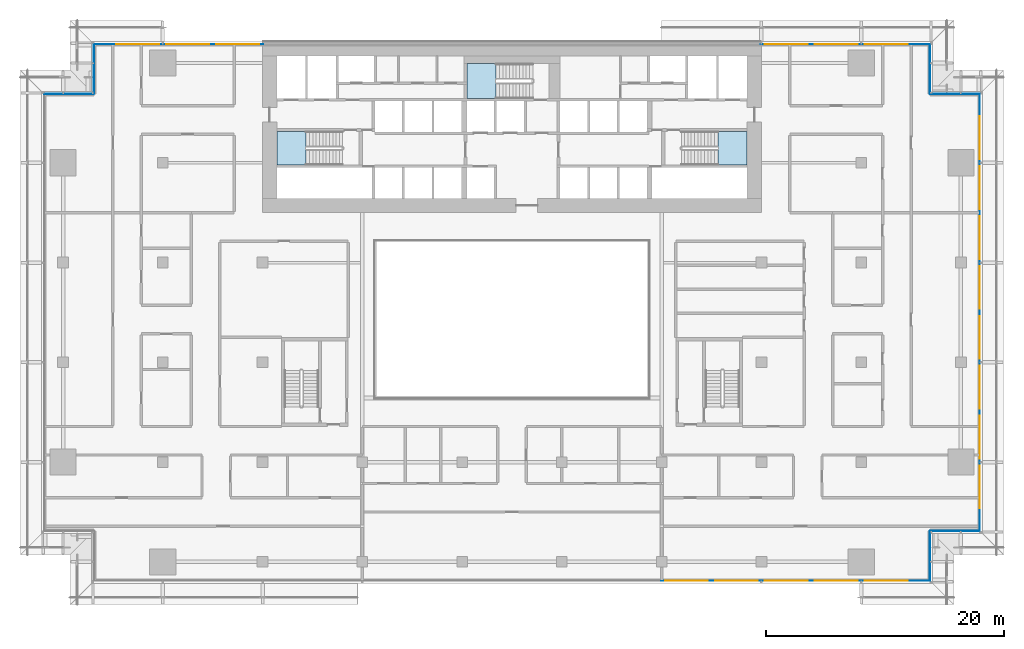
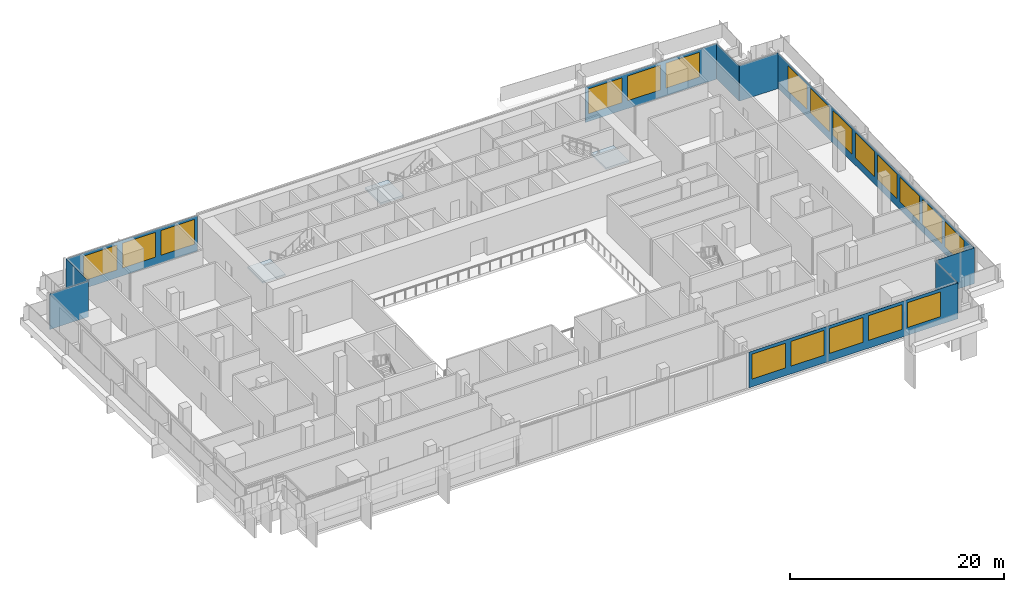
# One storey, part 12 of 23: 19 windows, 10 plates, 3 slabs, 19 openings, 12 elements without a shape of their own.
"""IFC4 building model written with IfcOpenShell, lengths in metres."""

from ifc_helpers import new_model, si_unit, direction, frame, frame_2d, origin, place, context, subcontext, project, spatial, polyline, rectangle, outline, extrude, material, layer, layer_set, type_object, element, fill, aggregate, save


model = new_model("IFC4")

# Units and contexts
model_context = context("Model", 3, precision=1e-05, world=origin(), true_north=direction((0.0, 1.0)))
body_context = subcontext(model_context, "Body", "Model", "MODEL_VIEW")
ifc_project = project(units=[si_unit("LENGTHUNIT", "METRE"), si_unit("AREAUNIT", "SQUARE_METRE"), si_unit("VOLUMEUNIT", "CUBIC_METRE"), si_unit("PLANEANGLEUNIT", "RADIAN"), si_unit("MASSUNIT", "GRAM", prefix="KILO")], contexts=[model_context])

# Site, building, storey
site_placement = place(None, origin())
site = spatial("IfcSite", under=ifc_project, at=site_placement, CompositionType="ELEMENT")
building_placement = place(site_placement, origin())
building = spatial("IfcBuilding", under=site, at=building_placement, Name="Saffron Gate Tower", CompositionType="ELEMENT")
storey_placement = place(building_placement, frame((0.0, 0.0, 23.699951171875)))
storey = spatial("IfcBuildingStorey", under=building, at=storey_placement, Name="L04", CompositionType="ELEMENT", Elevation=23.699951171875)

# Curtain wall, plate, openings, windows
ifc_material_1 = material(Name="Aluminium, bronze anodised", Category="aluminium")
curtain_wall_type = type_object("IfcCurtainWallType", Name="CWS6 curtain wall tall storeys", PredefinedType="NOTDEFINED", material=ifc_material_1)
curtain_wall_1_placement = place(storey_placement, origin())
curtain_wall_1 = element("IfcCurtainWall", 1, at=curtain_wall_1_placement, inside=storey, type_object=curtain_wall_type, Name="CWS6 run 1", PredefinedType="NOTDEFINED")
ifc_material_2 = material(Name="Fritted bronze-tinted laminated glass", Category="glass")
ifc_layer_1 = layer(ifc_material_2, 0.028076171875)
ifc_layer_set_1 = layer_set([ifc_layer_1], Name="CWS6 fixed glass")
plate_type = type_object("IfcPlateType", Name="CWS6 fixed glass", PredefinedType="CURTAIN_PANEL", material=ifc_layer_set_1)
plate_1_placement = place(storey_placement, frame((100.159912109375, 30.214111328125, 0.0), z_axis=(0.0, 0.0, 1.0), x_axis=(1.0, 0.0, 0.0)))
plate_1 = element("IfcPlate", 2, at=plate_1_placement, type_object=plate_type, Name="CWS6 glass panel", PredefinedType="CURTAIN_PANEL", context=body_context, shape_type="SweptSolid", body=[
    extrude(rectangle(XDim=22.612060546875, YDim=0.028076171875, at=frame_2d((11.30615234375, 0.0))), origin(), (0.0, 0.0, 1.0), 4.080078125),
])
opening_1_placement = place(plate_1_placement, frame((0.340087890625, 0.0, 0.89990234375)))
opening_1 = element("IfcOpeningElement", 3, at=opening_1_placement, cuts=plate_1, Name="Opening W3", PredefinedType="OPENING", context=body_context, shape_type="SweptSolid", body=[
    extrude(rectangle(XDim=3.60009765625, YDim=2.830078125, at=frame_2d((1.800048828125, 1.4150390625))), frame((0.0, 0.02392578125, 0.0), z_axis=(0.0, -1.0, 0.0), x_axis=(1.0, 0.0, 0.0)), (0.0, 0.0, 1.0), 0.048095703125),
])
opening_2_placement = place(plate_1_placement, frame((4.5400390625, 0.0, 0.89990234375)))
opening_2 = element("IfcOpeningElement", 4, at=opening_2_placement, cuts=plate_1, Name="Opening W3", PredefinedType="OPENING", context=body_context, shape_type="SweptSolid", body=[
    extrude(rectangle(XDim=3.60009765625, YDim=2.830078125, at=frame_2d((1.800048828125, 1.4150390625))), frame((0.0, 0.02392578125, 0.0), z_axis=(0.0, -1.0, 0.0), x_axis=(1.0, 0.0, 0.0)), (0.0, 0.0, 1.0), 0.048095703125),
])
opening_3_placement = place(plate_1_placement, frame((8.739990234375, 0.0, 0.89990234375)))
opening_3 = element("IfcOpeningElement", 5, at=opening_3_placement, cuts=plate_1, Name="Opening W3", PredefinedType="OPENING", context=body_context, shape_type="SweptSolid", body=[
    extrude(rectangle(XDim=3.60009765625, YDim=2.830078125, at=frame_2d((1.800048828125, 1.4150390625))), frame((0.0, 0.02392578125, 0.0), z_axis=(0.0, -1.0, 0.0), x_axis=(1.0, 0.0, 0.0)), (0.0, 0.0, 1.0), 0.048095703125),
])
opening_4_placement = place(plate_1_placement, frame((12.93994140625, 0.0, 0.89990234375)))
opening_4 = element("IfcOpeningElement", 6, at=opening_4_placement, cuts=plate_1, Name="Opening W3", PredefinedType="OPENING", context=body_context, shape_type="SweptSolid", body=[
    extrude(rectangle(XDim=3.60009765625, YDim=2.830078125, at=frame_2d((1.800048828125, 1.4150390625))), frame((0.0, 0.02392578125, 0.0), z_axis=(0.0, -1.0, 0.0), x_axis=(1.0, 0.0, 0.0)), (0.0, 0.0, 1.0), 0.048095703125),
])
opening_5_placement = place(plate_1_placement, frame((17.139892578125, 0.0, 0.89990234375)))
opening_5 = element("IfcOpeningElement", 7, at=opening_5_placement, cuts=plate_1, Name="Opening W3", PredefinedType="OPENING", context=body_context, shape_type="SweptSolid", body=[
    extrude(rectangle(XDim=3.60009765625, YDim=2.830078125, at=frame_2d((1.800048828125, 1.4150390625))), frame((0.0, 0.02392578125, 0.0), z_axis=(0.0, -1.0, 0.0), x_axis=(1.0, 0.0, 0.0)), (0.0, 0.0, 1.0), 0.048095703125),
])
ifc_material_3 = material(Name="Fritted bronze-tinted laminated glass in bronze frame", Category="glass")
ifc_layer_2 = layer(ifc_material_3, 0.06005859375)
ifc_layer_set_2 = layer_set([ifc_layer_2], Name="W3 operable panel 3600x2830")
window_type = type_object("IfcWindowType", Name="W3 operable panel 3600x2830", PartitioningType="DOUBLE_PANEL_HORIZONTAL", PredefinedType="WINDOW", material=ifc_layer_set_2)
window_1_placement = place(opening_1_placement, origin())
window_1 = element("IfcWindow", 8, at=window_1_placement, type_object=window_type, Name="W3 operable panel", OverallHeight=2.830078125, OverallWidth=3.60009765625, PartitioningType="SINGLE_PANEL", PredefinedType="WINDOW", context=body_context, shape_type="SweptSolid", body=[
    extrude(rectangle(XDim=3.60009765625, YDim=2.830078125, at=frame_2d((1.800048828125, 1.4150390625))), frame((0.0, 0.013671875, 0.0), z_axis=(0.0, -1.0, 0.0), x_axis=(1.0, 0.0, 0.0)), (0.0, 0.0, 1.0), 0.027587890625),
])
fill(opening_1, window_1)
window_2_placement = place(opening_2_placement, origin())
window_2 = element("IfcWindow", 9, at=window_2_placement, type_object=window_type, Name="W3 operable panel", OverallHeight=2.830078125, OverallWidth=3.60009765625, PartitioningType="SINGLE_PANEL", PredefinedType="WINDOW", context=body_context, shape_type="SweptSolid", body=[
    extrude(rectangle(XDim=3.60009765625, YDim=2.830078125, at=frame_2d((1.800048828125, 1.4150390625))), frame((0.0, 0.013671875, 0.0), z_axis=(0.0, -1.0, 0.0), x_axis=(1.0, 0.0, 0.0)), (0.0, 0.0, 1.0), 0.027587890625),
])
fill(opening_2, window_2)
window_3_placement = place(opening_3_placement, origin())
window_3 = element("IfcWindow", 10, at=window_3_placement, type_object=window_type, Name="W3 operable panel", OverallHeight=2.830078125, OverallWidth=3.60009765625, PartitioningType="SINGLE_PANEL", PredefinedType="WINDOW", context=body_context, shape_type="SweptSolid", body=[
    extrude(rectangle(XDim=3.60009765625, YDim=2.830078125, at=frame_2d((1.800048828125, 1.4150390625))), frame((0.0, 0.013671875, 0.0), z_axis=(0.0, -1.0, 0.0), x_axis=(1.0, 0.0, 0.0)), (0.0, 0.0, 1.0), 0.027587890625),
])
fill(opening_3, window_3)
window_4_placement = place(opening_4_placement, origin())
window_4 = element("IfcWindow", 11, at=window_4_placement, type_object=window_type, Name="W3 operable panel", OverallHeight=2.830078125, OverallWidth=3.60009765625, PartitioningType="SINGLE_PANEL", PredefinedType="WINDOW", context=body_context, shape_type="SweptSolid", body=[
    extrude(rectangle(XDim=3.60009765625, YDim=2.830078125, at=frame_2d((1.800048828125, 1.4150390625))), frame((0.0, 0.013671875, 0.0), z_axis=(0.0, -1.0, 0.0), x_axis=(1.0, 0.0, 0.0)), (0.0, 0.0, 1.0), 0.027587890625),
])
fill(opening_4, window_4)
window_5_placement = place(opening_5_placement, origin())
window_5 = element("IfcWindow", 12, at=window_5_placement, type_object=window_type, Name="W3 operable panel", OverallHeight=2.830078125, OverallWidth=3.60009765625, PartitioningType="SINGLE_PANEL", PredefinedType="WINDOW", context=body_context, shape_type="SweptSolid", body=[
    extrude(rectangle(XDim=3.60009765625, YDim=2.830078125, at=frame_2d((1.800048828125, 1.4150390625))), frame((0.0, 0.013671875, 0.0), z_axis=(0.0, -1.0, 0.0), x_axis=(1.0, 0.0, 0.0)), (0.0, 0.0, 1.0), 0.027587890625),
])
fill(opening_5, window_5)
aggregate(curtain_wall_1, [plate_1, window_1, window_2, window_3, window_4, window_5])

# Curtain wall, plate
curtain_wall_2_placement = place(storey_placement, origin())
curtain_wall_2 = element("IfcCurtainWall", 13, at=curtain_wall_2_placement, inside=storey, type_object=curtain_wall_type, Name="CWS6 run 2", PredefinedType="NOTDEFINED")
plate_2_placement = place(storey_placement, frame((122.785888671875, 30.22802734375, 0.0), z_axis=(0.0, 0.0, 1.0), x_axis=(0.0, 1.0, 0.0)))
plate_2 = element("IfcPlate", 14, at=plate_2_placement, type_object=plate_type, Name="CWS6 glass panel", PredefinedType="CURTAIN_PANEL", context=body_context, shape_type="SweptSolid", body=[
    extrude(rectangle(XDim=4.171875, YDim=0.028076171875, at=frame_2d((2.0859375, 0.0))), origin(), (0.0, 0.0, 1.0), 4.080078125),
])
aggregate(curtain_wall_2, [plate_2])

curtain_wall_3_placement = place(storey_placement, origin())
curtain_wall_3 = element("IfcCurtainWall", 15, at=curtain_wall_3_placement, inside=storey, type_object=curtain_wall_type, Name="CWS6 run 3", PredefinedType="NOTDEFINED")
plate_3_placement = place(storey_placement, frame((122.800048828125, 34.4140625, 0.0), z_axis=(0.0, 0.0, 1.0), x_axis=(1.0, 0.0, 0.0)))
plate_3 = element("IfcPlate", 16, at=plate_3_placement, type_object=plate_type, Name="CWS6 glass panel", PredefinedType="CURTAIN_PANEL", context=body_context, shape_type="SweptSolid", body=[
    extrude(rectangle(XDim=4.171875, YDim=0.028076171875, at=frame_2d((2.0859375, 0.0))), origin(), (0.0, 0.0, 1.0), 4.080078125),
])
aggregate(curtain_wall_3, [plate_3])

# Curtain wall, plate, openings, windows
curtain_wall_4_placement = place(storey_placement, origin())
curtain_wall_4 = element("IfcCurtainWall", 17, at=curtain_wall_4_placement, inside=storey, type_object=curtain_wall_type, Name="CWS6 run 4", PredefinedType="NOTDEFINED")
plate_4_placement = place(storey_placement, frame((126.986083984375, 34.427978515625, 0.0), z_axis=(0.0, 0.0, 1.0), x_axis=(0.0, 1.0, 0.0)))
plate_4 = element("IfcPlate", 18, at=plate_4_placement, type_object=plate_type, Name="CWS6 glass panel", PredefinedType="CURTAIN_PANEL", context=body_context, shape_type="SweptSolid", body=[
    extrude(rectangle(XDim=36.744140625, YDim=0.028076171875, at=frame_2d((18.3720703125, 0.0))), origin(), (0.0, 0.0, 1.0), 4.080078125),
])
opening_6_placement = place(plate_4_placement, frame((1.8720703125, 0.0, 0.89990234375)))
opening_6 = element("IfcOpeningElement", 19, at=opening_6_placement, cuts=plate_4, Name="Opening W3", PredefinedType="OPENING", context=body_context, shape_type="SweptSolid", body=[
    extrude(rectangle(XDim=3.60009765625, YDim=2.830078125, at=frame_2d((1.800048828125, 1.4150390625))), frame((0.0, 0.02392578125, 0.0), z_axis=(0.0, -1.0, 0.0), x_axis=(1.0, 0.0, 0.0)), (0.0, 0.0, 1.0), 0.048095703125),
])
opening_7_placement = place(plate_4_placement, frame((6.072021484375, 0.0, 0.89990234375)))
opening_7 = element("IfcOpeningElement", 20, at=opening_7_placement, cuts=plate_4, Name="Opening W3", PredefinedType="OPENING", context=body_context, shape_type="SweptSolid", body=[
    extrude(rectangle(XDim=3.60009765625, YDim=2.830078125, at=frame_2d((1.800048828125, 1.4150390625))), frame((0.0, 0.02392578125, 0.0), z_axis=(0.0, -1.0, 0.0), x_axis=(1.0, 0.0, 0.0)), (0.0, 0.0, 1.0), 0.048095703125),
])
opening_8_placement = place(plate_4_placement, frame((10.27197265625, 0.0, 0.89990234375)))
opening_8 = element("IfcOpeningElement", 21, at=opening_8_placement, cuts=plate_4, Name="Opening W3", PredefinedType="OPENING", context=body_context, shape_type="SweptSolid", body=[
    extrude(rectangle(XDim=3.60009765625, YDim=2.830078125, at=frame_2d((1.800048828125, 1.4150390625))), frame((0.0, 0.02392578125, 0.0), z_axis=(0.0, -1.0, 0.0), x_axis=(1.0, 0.0, 0.0)), (0.0, 0.0, 1.0), 0.048095703125),
])
opening_9_placement = place(plate_4_placement, frame((14.471923828125, 0.0, 0.89990234375)))
opening_9 = element("IfcOpeningElement", 22, at=opening_9_placement, cuts=plate_4, Name="Opening W3", PredefinedType="OPENING", context=body_context, shape_type="SweptSolid", body=[
    extrude(rectangle(XDim=3.60009765625, YDim=2.830078125, at=frame_2d((1.800048828125, 1.4150390625))), frame((0.0, 0.02392578125, 0.0), z_axis=(0.0, -1.0, 0.0), x_axis=(1.0, 0.0, 0.0)), (0.0, 0.0, 1.0), 0.048095703125),
])
opening_10_placement = place(plate_4_placement, frame((18.672119140625, 0.0, 0.89990234375)))
opening_10 = element("IfcOpeningElement", 23, at=opening_10_placement, cuts=plate_4, Name="Opening W3", PredefinedType="OPENING", context=body_context, shape_type="SweptSolid", body=[
    extrude(rectangle(XDim=3.60009765625, YDim=2.830078125, at=frame_2d((1.800048828125, 1.4150390625))), frame((0.0, 0.02392578125, 0.0), z_axis=(0.0, -1.0, 0.0), x_axis=(1.0, 0.0, 0.0)), (0.0, 0.0, 1.0), 0.048095703125),
])
opening_11_placement = place(plate_4_placement, frame((22.8720703125, 0.0, 0.89990234375)))
opening_11 = element("IfcOpeningElement", 24, at=opening_11_placement, cuts=plate_4, Name="Opening W3", PredefinedType="OPENING", context=body_context, shape_type="SweptSolid", body=[
    extrude(rectangle(XDim=3.60009765625, YDim=2.830078125, at=frame_2d((1.800048828125, 1.4150390625))), frame((0.0, 0.02392578125, 0.0), z_axis=(0.0, -1.0, 0.0), x_axis=(1.0, 0.0, 0.0)), (0.0, 0.0, 1.0), 0.048095703125),
])
opening_12_placement = place(plate_4_placement, frame((27.072021484375, 0.0, 0.89990234375)))
opening_12 = element("IfcOpeningElement", 25, at=opening_12_placement, cuts=plate_4, Name="Opening W3", PredefinedType="OPENING", context=body_context, shape_type="SweptSolid", body=[
    extrude(rectangle(XDim=3.60009765625, YDim=2.830078125, at=frame_2d((1.800048828125, 1.4150390625))), frame((0.0, 0.02392578125, 0.0), z_axis=(0.0, -1.0, 0.0), x_axis=(1.0, 0.0, 0.0)), (0.0, 0.0, 1.0), 0.048095703125),
])
opening_13_placement = place(plate_4_placement, frame((31.27197265625, 0.0, 0.89990234375)))
opening_13 = element("IfcOpeningElement", 26, at=opening_13_placement, cuts=plate_4, Name="Opening W3", PredefinedType="OPENING", context=body_context, shape_type="SweptSolid", body=[
    extrude(rectangle(XDim=3.60009765625, YDim=2.830078125, at=frame_2d((1.800048828125, 1.4150390625))), frame((0.0, 0.02392578125, 0.0), z_axis=(0.0, -1.0, 0.0), x_axis=(1.0, 0.0, 0.0)), (0.0, 0.0, 1.0), 0.048095703125),
])
window_6_placement = place(opening_6_placement, origin())
window_6 = element("IfcWindow", 27, at=window_6_placement, type_object=window_type, Name="W3 operable panel", OverallHeight=2.830078125, OverallWidth=3.60009765625, PartitioningType="SINGLE_PANEL", PredefinedType="WINDOW", context=body_context, shape_type="SweptSolid", body=[
    extrude(rectangle(XDim=3.60009765625, YDim=2.830078125, at=frame_2d((1.800048828125, 1.4150390625))), frame((0.0, 0.013671875, 0.0), z_axis=(0.0, -1.0, 0.0), x_axis=(1.0, 0.0, 0.0)), (0.0, 0.0, 1.0), 0.027587890625),
])
fill(opening_6, window_6)
window_7_placement = place(opening_7_placement, origin())
window_7 = element("IfcWindow", 28, at=window_7_placement, type_object=window_type, Name="W3 operable panel", OverallHeight=2.830078125, OverallWidth=3.60009765625, PartitioningType="SINGLE_PANEL", PredefinedType="WINDOW", context=body_context, shape_type="SweptSolid", body=[
    extrude(rectangle(XDim=3.60009765625, YDim=2.830078125, at=frame_2d((1.800048828125, 1.4150390625))), frame((0.0, 0.013671875, 0.0), z_axis=(0.0, -1.0, 0.0), x_axis=(1.0, 0.0, 0.0)), (0.0, 0.0, 1.0), 0.027587890625),
])
fill(opening_7, window_7)
window_8_placement = place(opening_8_placement, origin())
window_8 = element("IfcWindow", 29, at=window_8_placement, type_object=window_type, Name="W3 operable panel", OverallHeight=2.830078125, OverallWidth=3.60009765625, PartitioningType="SINGLE_PANEL", PredefinedType="WINDOW", context=body_context, shape_type="SweptSolid", body=[
    extrude(rectangle(XDim=3.60009765625, YDim=2.830078125, at=frame_2d((1.800048828125, 1.4150390625))), frame((0.0, 0.013671875, 0.0), z_axis=(0.0, -1.0, 0.0), x_axis=(1.0, 0.0, 0.0)), (0.0, 0.0, 1.0), 0.027587890625),
])
fill(opening_8, window_8)
window_9_placement = place(opening_9_placement, origin())
window_9 = element("IfcWindow", 30, at=window_9_placement, type_object=window_type, Name="W3 operable panel", OverallHeight=2.830078125, OverallWidth=3.60009765625, PartitioningType="SINGLE_PANEL", PredefinedType="WINDOW", context=body_context, shape_type="SweptSolid", body=[
    extrude(rectangle(XDim=3.60009765625, YDim=2.830078125, at=frame_2d((1.800048828125, 1.4150390625))), frame((0.0, 0.013671875, 0.0), z_axis=(0.0, -1.0, 0.0), x_axis=(1.0, 0.0, 0.0)), (0.0, 0.0, 1.0), 0.027587890625),
])
fill(opening_9, window_9)
window_10_placement = place(opening_10_placement, origin())
window_10 = element("IfcWindow", 31, at=window_10_placement, type_object=window_type, Name="W3 operable panel", OverallHeight=2.830078125, OverallWidth=3.60009765625, PartitioningType="SINGLE_PANEL", PredefinedType="WINDOW", context=body_context, shape_type="SweptSolid", body=[
    extrude(rectangle(XDim=3.60009765625, YDim=2.830078125, at=frame_2d((1.800048828125, 1.4150390625))), frame((0.0, 0.013671875, 0.0), z_axis=(0.0, -1.0, 0.0), x_axis=(1.0, 0.0, 0.0)), (0.0, 0.0, 1.0), 0.027587890625),
])
fill(opening_10, window_10)
window_11_placement = place(opening_11_placement, origin())
window_11 = element("IfcWindow", 32, at=window_11_placement, type_object=window_type, Name="W3 operable panel", OverallHeight=2.830078125, OverallWidth=3.60009765625, PartitioningType="SINGLE_PANEL", PredefinedType="WINDOW", context=body_context, shape_type="SweptSolid", body=[
    extrude(rectangle(XDim=3.60009765625, YDim=2.830078125, at=frame_2d((1.800048828125, 1.4150390625))), frame((0.0, 0.013671875, 0.0), z_axis=(0.0, -1.0, 0.0), x_axis=(1.0, 0.0, 0.0)), (0.0, 0.0, 1.0), 0.027587890625),
])
fill(opening_11, window_11)
window_12_placement = place(opening_12_placement, origin())
window_12 = element("IfcWindow", 33, at=window_12_placement, type_object=window_type, Name="W3 operable panel", OverallHeight=2.830078125, OverallWidth=3.60009765625, PartitioningType="SINGLE_PANEL", PredefinedType="WINDOW", context=body_context, shape_type="SweptSolid", body=[
    extrude(rectangle(XDim=3.60009765625, YDim=2.830078125, at=frame_2d((1.800048828125, 1.4150390625))), frame((0.0, 0.013671875, 0.0), z_axis=(0.0, -1.0, 0.0), x_axis=(1.0, 0.0, 0.0)), (0.0, 0.0, 1.0), 0.027587890625),
])
fill(opening_12, window_12)
window_13_placement = place(opening_13_placement, origin())
window_13 = element("IfcWindow", 34, at=window_13_placement, type_object=window_type, Name="W3 operable panel", OverallHeight=2.830078125, OverallWidth=3.60009765625, PartitioningType="SINGLE_PANEL", PredefinedType="WINDOW", context=body_context, shape_type="SweptSolid", body=[
    extrude(rectangle(XDim=3.60009765625, YDim=2.830078125, at=frame_2d((1.800048828125, 1.4150390625))), frame((0.0, 0.013671875, 0.0), z_axis=(0.0, -1.0, 0.0), x_axis=(1.0, 0.0, 0.0)), (0.0, 0.0, 1.0), 0.027587890625),
])
fill(opening_13, window_13)
aggregate(curtain_wall_4, [plate_4, window_6, window_7, window_8, window_9, window_10, window_11, window_12, window_13])

# Curtain wall, plate
curtain_wall_5_placement = place(storey_placement, origin())
curtain_wall_5 = element("IfcCurtainWall", 35, at=curtain_wall_5_placement, inside=storey, type_object=curtain_wall_type, Name="CWS6 run 5", PredefinedType="NOTDEFINED")
plate_5_placement = place(storey_placement, frame((126.971923828125, 71.18603515625, 0.0), z_axis=(0.0, 0.0, 1.0), x_axis=(-1.0, 0.0, 0.0)))
plate_5 = element("IfcPlate", 36, at=plate_5_placement, type_object=plate_type, Name="CWS6 glass panel", PredefinedType="CURTAIN_PANEL", context=body_context, shape_type="SweptSolid", body=[
    extrude(rectangle(XDim=4.171875, YDim=0.028076171875, at=frame_2d((2.0859375, 0.0))), origin(), (0.0, 0.0, 1.0), 4.080078125),
])
aggregate(curtain_wall_5, [plate_5])

curtain_wall_6_placement = place(storey_placement, origin())
curtain_wall_6 = element("IfcCurtainWall", 37, at=curtain_wall_6_placement, inside=storey, type_object=curtain_wall_type, Name="CWS6 run 6", PredefinedType="NOTDEFINED")
plate_6_placement = place(storey_placement, frame((122.785888671875, 71.199951171875, 0.0), z_axis=(0.0, 0.0, 1.0), x_axis=(0.0, 1.0, 0.0)))
plate_6 = element("IfcPlate", 38, at=plate_6_placement, type_object=plate_type, Name="CWS6 glass panel", PredefinedType="CURTAIN_PANEL", context=body_context, shape_type="SweptSolid", body=[
    extrude(rectangle(XDim=4.172119140625, YDim=0.028076171875, at=frame_2d((2.0859375, 0.0))), origin(), (0.0, 0.0, 1.0), 4.080078125),
])
aggregate(curtain_wall_6, [plate_6])

# Curtain wall, plates, openings, windows
curtain_wall_7_placement = place(storey_placement, origin())
curtain_wall_7 = element("IfcCurtainWall", 39, at=curtain_wall_7_placement, inside=storey, type_object=curtain_wall_type, Name="CWS6 run 7", PredefinedType="NOTDEFINED")
plate_7_placement = place(storey_placement, frame((122.77197265625, 75.385986328125, 0.0), z_axis=(0.0, 0.0, 1.0), x_axis=(-1.0, 0.0, 0.0)))
plate_7 = element("IfcPlate", 40, at=plate_7_placement, type_object=plate_type, Name="CWS6 glass panel", PredefinedType="CURTAIN_PANEL", context=body_context, shape_type="SweptSolid", body=[
    extrude(rectangle(XDim=14.2119140625, YDim=0.028076171875, at=frame_2d((7.10595703125, 0.0))), origin(), (0.0, 0.0, 1.0), 4.080078125),
])
opening_14_placement = place(plate_7_placement, frame((1.8720703125, 0.0, 0.89990234375)))
opening_14 = element("IfcOpeningElement", 41, at=opening_14_placement, cuts=plate_7, Name="Opening W3", PredefinedType="OPENING", context=body_context, shape_type="SweptSolid", body=[
    extrude(rectangle(XDim=3.60009765625, YDim=2.830078125, at=frame_2d((1.800048828125, 1.4150390625))), frame((0.0, 0.02392578125, 0.0), z_axis=(0.0, -1.0, 0.0), x_axis=(1.0, 0.0, 0.0)), (0.0, 0.0, 1.0), 0.048095703125),
])
opening_15_placement = place(plate_7_placement, frame((6.072021484375, 0.0, 0.89990234375)))
opening_15 = element("IfcOpeningElement", 42, at=opening_15_placement, cuts=plate_7, Name="Opening W3", PredefinedType="OPENING", context=body_context, shape_type="SweptSolid", body=[
    extrude(rectangle(XDim=3.60009765625, YDim=2.830078125, at=frame_2d((1.800048828125, 1.4150390625))), frame((0.0, 0.02392578125, 0.0), z_axis=(0.0, -1.0, 0.0), x_axis=(1.0, 0.0, 0.0)), (0.0, 0.0, 1.0), 0.048095703125),
])
opening_16_placement = place(plate_7_placement, frame((10.27197265625, 0.0, 0.89990234375)))
opening_16 = element("IfcOpeningElement", 43, at=opening_16_placement, cuts=plate_7, Name="Opening W3", PredefinedType="OPENING", context=body_context, shape_type="SweptSolid", body=[
    extrude(rectangle(XDim=3.60009765625, YDim=2.830078125, at=frame_2d((1.800048828125, 1.4150390625))), frame((0.0, 0.02392578125, 0.0), z_axis=(0.0, -1.0, 0.0), x_axis=(1.0, 0.0, 0.0)), (0.0, 0.0, 1.0), 0.048095703125),
])
window_14_placement = place(opening_14_placement, origin())
window_14 = element("IfcWindow", 44, at=window_14_placement, type_object=window_type, Name="W3 operable panel", OverallHeight=2.830078125, OverallWidth=3.60009765625, PartitioningType="SINGLE_PANEL", PredefinedType="WINDOW", context=body_context, shape_type="SweptSolid", body=[
    extrude(rectangle(XDim=3.60009765625, YDim=2.830078125, at=frame_2d((1.800048828125, 1.4150390625))), frame((0.0, 0.013671875, 0.0), z_axis=(0.0, -1.0, 0.0), x_axis=(1.0, 0.0, 0.0)), (0.0, 0.0, 1.0), 0.027587890625),
])
fill(opening_14, window_14)
window_15_placement = place(opening_15_placement, origin())
window_15 = element("IfcWindow", 45, at=window_15_placement, type_object=window_type, Name="W3 operable panel", OverallHeight=2.830078125, OverallWidth=3.60009765625, PartitioningType="SINGLE_PANEL", PredefinedType="WINDOW", context=body_context, shape_type="SweptSolid", body=[
    extrude(rectangle(XDim=3.60009765625, YDim=2.830078125, at=frame_2d((1.800048828125, 1.4150390625))), frame((0.0, 0.013671875, 0.0), z_axis=(0.0, -1.0, 0.0), x_axis=(1.0, 0.0, 0.0)), (0.0, 0.0, 1.0), 0.027587890625),
])
fill(opening_15, window_15)
window_16_placement = place(opening_16_placement, origin())
window_16 = element("IfcWindow", 46, at=window_16_placement, type_object=window_type, Name="W3 operable panel", OverallHeight=2.830078125, OverallWidth=3.60009765625, PartitioningType="SINGLE_PANEL", PredefinedType="WINDOW", context=body_context, shape_type="SweptSolid", body=[
    extrude(rectangle(XDim=3.60009765625, YDim=2.830078125, at=frame_2d((1.800048828125, 1.4150390625))), frame((0.0, 0.013671875, 0.0), z_axis=(0.0, -1.0, 0.0), x_axis=(1.0, 0.0, 0.0)), (0.0, 0.0, 1.0), 0.027587890625),
])
fill(opening_16, window_16)
plate_8_placement = place(storey_placement, frame((66.639892578125, 75.385986328125, 0.0), z_axis=(0.0, 0.0, 1.0), x_axis=(-1.0, 0.0, 0.0)))
plate_8 = element("IfcPlate", 47, at=plate_8_placement, type_object=plate_type, Name="CWS6 glass panel", PredefinedType="CURTAIN_PANEL", context=body_context, shape_type="SweptSolid", body=[
    extrude(rectangle(XDim=14.2119140625, YDim=0.028076171875, at=frame_2d((7.10595703125, 0.0))), origin(), (0.0, 0.0, 1.0), 4.080078125),
])
opening_17_placement = place(plate_8_placement, frame((0.340087890625, 0.0, 0.89990234375)))
opening_17 = element("IfcOpeningElement", 48, at=opening_17_placement, cuts=plate_8, Name="Opening W3", PredefinedType="OPENING", context=body_context, shape_type="SweptSolid", body=[
    extrude(rectangle(XDim=3.60009765625, YDim=2.830078125, at=frame_2d((1.800048828125, 1.4150390625))), frame((0.0, 0.02392578125, 0.0), z_axis=(0.0, -1.0, 0.0), x_axis=(1.0, 0.0, 0.0)), (0.0, 0.0, 1.0), 0.048095703125),
])
opening_18_placement = place(plate_8_placement, frame((4.5400390625, 0.0, 0.89990234375)))
opening_18 = element("IfcOpeningElement", 49, at=opening_18_placement, cuts=plate_8, Name="Opening W3", PredefinedType="OPENING", context=body_context, shape_type="SweptSolid", body=[
    extrude(rectangle(XDim=3.60009765625, YDim=2.830078125, at=frame_2d((1.800048828125, 1.4150390625))), frame((0.0, 0.02392578125, 0.0), z_axis=(0.0, -1.0, 0.0), x_axis=(1.0, 0.0, 0.0)), (0.0, 0.0, 1.0), 0.048095703125),
])
opening_19_placement = place(plate_8_placement, frame((8.739990234375, 0.0, 0.89990234375)))
opening_19 = element("IfcOpeningElement", 50, at=opening_19_placement, cuts=plate_8, Name="Opening W3", PredefinedType="OPENING", context=body_context, shape_type="SweptSolid", body=[
    extrude(rectangle(XDim=3.60009765625, YDim=2.830078125, at=frame_2d((1.800048828125, 1.4150390625))), frame((0.0, 0.02392578125, 0.0), z_axis=(0.0, -1.0, 0.0), x_axis=(1.0, 0.0, 0.0)), (0.0, 0.0, 1.0), 0.048095703125),
])
window_17_placement = place(opening_17_placement, origin())
window_17 = element("IfcWindow", 51, at=window_17_placement, type_object=window_type, Name="W3 operable panel", OverallHeight=2.830078125, OverallWidth=3.60009765625, PartitioningType="SINGLE_PANEL", PredefinedType="WINDOW", context=body_context, shape_type="SweptSolid", body=[
    extrude(rectangle(XDim=3.60009765625, YDim=2.830078125, at=frame_2d((1.800048828125, 1.4150390625))), frame((0.0, 0.013671875, 0.0), z_axis=(0.0, -1.0, 0.0), x_axis=(1.0, 0.0, 0.0)), (0.0, 0.0, 1.0), 0.027587890625),
])
fill(opening_17, window_17)
window_18_placement = place(opening_18_placement, origin())
window_18 = element("IfcWindow", 52, at=window_18_placement, type_object=window_type, Name="W3 operable panel", OverallHeight=2.830078125, OverallWidth=3.60009765625, PartitioningType="SINGLE_PANEL", PredefinedType="WINDOW", context=body_context, shape_type="SweptSolid", body=[
    extrude(rectangle(XDim=3.60009765625, YDim=2.830078125, at=frame_2d((1.800048828125, 1.4150390625))), frame((0.0, 0.013671875, 0.0), z_axis=(0.0, -1.0, 0.0), x_axis=(1.0, 0.0, 0.0)), (0.0, 0.0, 1.0), 0.027587890625),
])
fill(opening_18, window_18)
window_19_placement = place(opening_19_placement, origin())
window_19 = element("IfcWindow", 53, at=window_19_placement, type_object=window_type, Name="W3 operable panel", OverallHeight=2.830078125, OverallWidth=3.60009765625, PartitioningType="SINGLE_PANEL", PredefinedType="WINDOW", context=body_context, shape_type="SweptSolid", body=[
    extrude(rectangle(XDim=3.60009765625, YDim=2.830078125, at=frame_2d((1.800048828125, 1.4150390625))), frame((0.0, 0.013671875, 0.0), z_axis=(0.0, -1.0, 0.0), x_axis=(1.0, 0.0, 0.0)), (0.0, 0.0, 1.0), 0.027587890625),
])
fill(opening_19, window_19)
aggregate(curtain_wall_7, [plate_7, plate_8, window_14, window_15, window_16, window_17, window_18, window_19])

# Curtain wall, plate
curtain_wall_8_placement = place(storey_placement, origin())
curtain_wall_8 = element("IfcCurtainWall", 54, at=curtain_wall_8_placement, inside=storey, type_object=curtain_wall_type, Name="CWS6 run 8", PredefinedType="NOTDEFINED")
plate_9_placement = place(storey_placement, frame((52.4140625, 75.3720703125, 0.0), z_axis=(0.0, 0.0, 1.0), x_axis=(0.0, -1.0, 0.0)))
plate_9 = element("IfcPlate", 55, at=plate_9_placement, type_object=plate_type, Name="CWS6 glass panel", PredefinedType="CURTAIN_PANEL", context=body_context, shape_type="SweptSolid", body=[
    extrude(rectangle(XDim=4.172119140625, YDim=0.028076171875, at=frame_2d((2.0859375, 0.0))), origin(), (0.0, 0.0, 1.0), 4.080078125),
])
aggregate(curtain_wall_8, [plate_9])

curtain_wall_9_placement = place(storey_placement, origin())
curtain_wall_9 = element("IfcCurtainWall", 56, at=curtain_wall_9_placement, inside=storey, type_object=curtain_wall_type, Name="CWS6 run 9", PredefinedType="NOTDEFINED")
plate_10_placement = place(storey_placement, frame((52.39990234375, 71.18603515625, 0.0), z_axis=(0.0, 0.0, 1.0), x_axis=(-1.0, 0.0, 0.0)))
plate_10 = element("IfcPlate", 57, at=plate_10_placement, type_object=plate_type, Name="CWS6 glass panel", PredefinedType="CURTAIN_PANEL", context=body_context, shape_type="SweptSolid", body=[
    extrude(rectangle(XDim=4.171875, YDim=0.028076171875, at=frame_2d((2.0859375, 0.0))), origin(), (0.0, 0.0, 1.0), 4.080078125),
])
aggregate(curtain_wall_9, [plate_10])

# Stair, slab
ifc_material_4 = material(Name="Concrete C40", Category="concrete")
stair_type = type_object("IfcStairType", Name="ST6 Stair 1350 wide, 24 risers of 188", PredefinedType="HALF_TURN_STAIR", material=ifc_material_4)
stair_1_placement = place(storey_placement, origin())
stair_1 = element("IfcStair", 58, at=stair_1_placement, inside=storey, type_object=stair_type, Name="L04 Exit stair A", PredefinedType="HALF_TURN_STAIR")
ifc_layer_3 = layer(ifc_material_4, 0.199951171875)
ifc_layer_set_3 = layer_set([ifc_layer_3], Name="SL1 Stair landing 200")
slab_type = type_object("IfcSlabType", Name="SL1 Stair landing 200", PredefinedType="LANDING", material=ifc_layer_set_3)
slab_1_placement = place(storey_placement, frame((0.0, 0.0, 2.050048828125)))
slab_1 = element("IfcSlab", 59, at=slab_1_placement, type_object=slab_type, Name="ST-A landing 1", PredefinedType="LANDING", context=body_context, shape_type="SweptSolid", body=[
    extrude(outline(polyline([(70.27001953125, 68.050048828125), (67.800048828125, 68.050048828125), (67.800048828125, 65.199951171875), (70.27001953125, 65.199951171875), (70.27001953125, 68.050048828125)])), origin(), (0.0, 0.0, 1.0), 0.199951171875),
])
aggregate(stair_1, [slab_1])

stair_2_placement = place(storey_placement, origin())
stair_2 = element("IfcStair", 60, at=stair_2_placement, inside=storey, type_object=stair_type, Name="L04 Exit stair B", PredefinedType="HALF_TURN_STAIR")
slab_2_placement = place(storey_placement, frame((0.0, 0.0, 2.050048828125)))
slab_2 = element("IfcSlab", 61, at=slab_2_placement, type_object=slab_type, Name="ST-B landing 1", PredefinedType="LANDING", context=body_context, shape_type="SweptSolid", body=[
    extrude(outline(polyline([(104.929931640625, 65.199951171875), (107.39990234375, 65.199951171875), (107.39990234375, 68.050048828125), (104.929931640625, 68.050048828125), (104.929931640625, 65.199951171875)])), origin(), (0.0, 0.0, 1.0), 0.199951171875),
])
aggregate(stair_2, [slab_2])

stair_3_placement = place(storey_placement, origin())
stair_3 = element("IfcStair", 62, at=stair_3_placement, inside=storey, type_object=stair_type, Name="L04 Exit stair C", PredefinedType="HALF_TURN_STAIR")
slab_3_placement = place(storey_placement, frame((0.0, 0.0, 2.050048828125)))
slab_3 = element("IfcSlab", 63, at=slab_3_placement, type_object=slab_type, Name="ST-C landing 1", PredefinedType="LANDING", context=body_context, shape_type="SweptSolid", body=[
    extrude(outline(polyline([(86.27001953125, 73.75), (83.800048828125, 73.75), (83.800048828125, 70.800048828125), (86.27001953125, 70.800048828125), (86.27001953125, 73.75)])), origin(), (0.0, 0.0, 1.0), 0.199951171875),
])
aggregate(stair_3, [slab_3])

save(model, "model.ifc")
